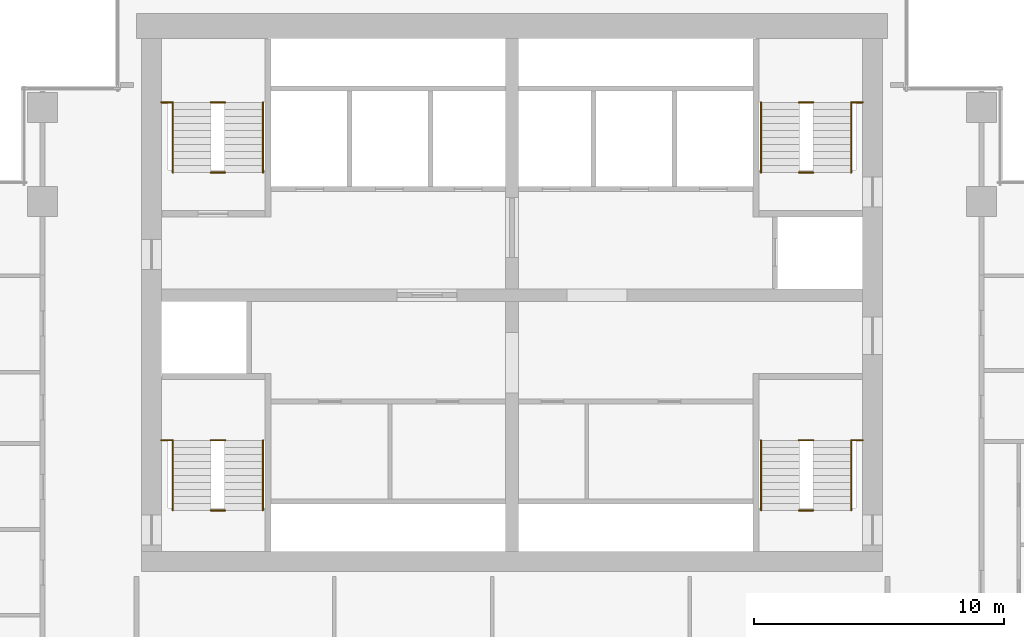
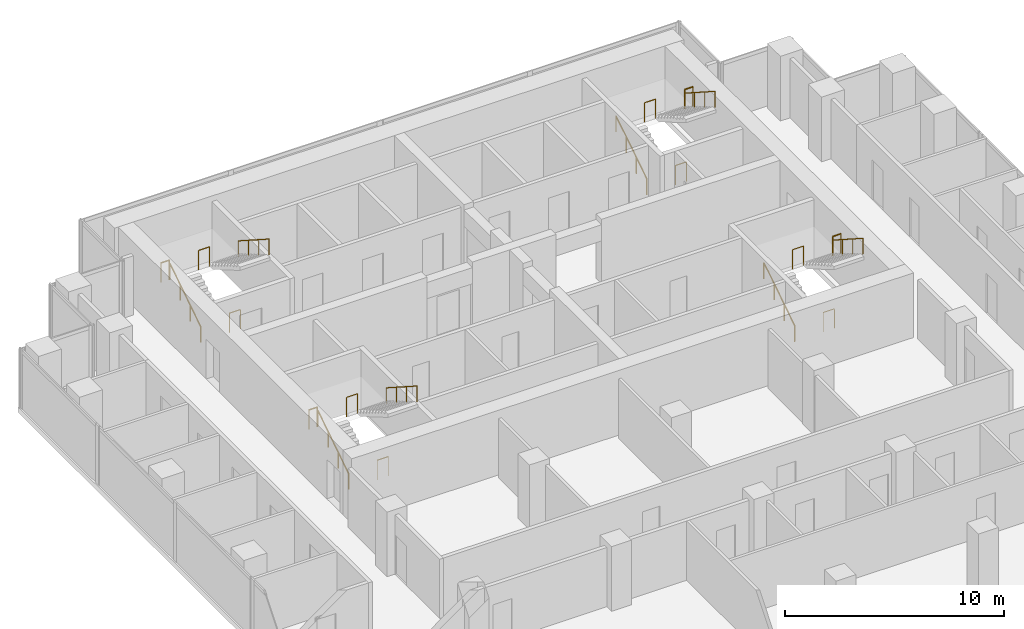
# One storey, part 10 of 10: 20 railings.
"""IFC4 building model written with IfcOpenShell, lengths in metres."""

from ifc_helpers import new_model, si_unit, direction, frame, origin, origin_2d, place, context, subcontext, project, spatial, circle, extrude, material, type_object, element, save


model = new_model("IFC4")

# Units and contexts
model_context = context("Model", 3, precision=1e-05, world=origin(), true_north=direction((0.0, 1.0)))
body_context = subcontext(model_context, "Body", "Model", "MODEL_VIEW")
ifc_project = project(units=[si_unit("LENGTHUNIT", "METRE"), si_unit("AREAUNIT", "SQUARE_METRE"), si_unit("VOLUMEUNIT", "CUBIC_METRE"), si_unit("PLANEANGLEUNIT", "RADIAN"), si_unit("MASSUNIT", "GRAM", prefix="KILO")], contexts=[model_context])

# Site, building, storey
site_placement = place(None, origin())
site = spatial("IfcSite", under=ifc_project, at=site_placement, CompositionType="ELEMENT")
building_placement = place(site_placement, origin())
building = spatial("IfcBuilding", under=site, at=building_placement, Name="Pilkhan Gate Tower", CompositionType="ELEMENT")
storey_placement = place(building_placement, frame((0.0, 0.0, 158.5)))
storey = spatial("IfcBuildingStorey", under=building, at=storey_placement, Name="L40", CompositionType="ELEMENT", Elevation=158.5)

# Railings
ifc_material_1 = material(Name="Black powder-coated steel tube", Category="steel")
railing_type_1 = type_object("IfcRailingType", Name="Stair handrail HR1", PredefinedType="HANDRAIL", material=ifc_material_1)
railing_1_placement = place(storey_placement, frame((84.949951171875, 73.89990234375, 0.0)))
element("IfcRailing", 1, at=railing_1_placement, inside=storey, type_object=railing_type_1, Name="Stair ST1 handrail L40", PredefinedType="HANDRAIL", context=body_context, shape_type="SweptSolid", body=[
    extrude(circle(Radius=0.02392578125, at=origin_2d()), frame((0.0, 0.0, 0.8759765625), z_axis=(0.0, 0.841176092368, 0.540761298198), x_axis=(-1.0, 0.0, 0.0)), (0.0, 0.0, 1.0), 3.32861328125),
    extrude(circle(Radius=0.02099609375, at=origin_2d()), origin(), (0.0, 0.0, 1.0), 0.851806640625),
    extrude(circle(Radius=0.02099609375, at=origin_2d()), frame((0.0, 0.933349609375, 0.60009765625)), (0.0, 0.0, 1.0), 0.851806640625),
    extrude(circle(Radius=0.02099609375, at=origin_2d()), frame((0.0, 1.86669921875, 1.199951171875)), (0.0, 0.0, 1.0), 0.851806640625),
    extrude(circle(Radius=0.02099609375, at=origin_2d()), frame((0.0, 2.800048828125, 1.800048828125)), (0.0, 0.0, 1.0), 0.851806640625),
])
railing_2_placement = place(storey_placement, frame((88.550048828125, 76.699951171875, 1.800048828125)))
element("IfcRailing", 2, at=railing_2_placement, inside=storey, type_object=railing_type_1, Name="Stair ST1 handrail L40", PredefinedType="HANDRAIL", context=body_context, shape_type="SweptSolid", body=[
    extrude(circle(Radius=0.02392578125, at=origin_2d()), frame((0.0, 0.0, 0.8759765625), z_axis=(0.0, -0.841176092368, 0.540761298198), x_axis=(1.0, 0.0, 0.0)), (0.0, 0.0, 1.0), 3.32861328125),
    extrude(circle(Radius=0.02099609375, at=origin_2d()), origin(), (0.0, 0.0, 1.0), 0.851806640625),
    extrude(circle(Radius=0.02099609375, at=origin_2d()), frame((0.0, -0.933349609375, 0.60009765625)), (0.0, 0.0, 1.0), 0.851806640625),
    extrude(circle(Radius=0.02099609375, at=origin_2d()), frame((0.0, -1.86669921875, 1.199951171875)), (0.0, 0.0, 1.0), 0.851806640625),
    extrude(circle(Radius=0.02099609375, at=origin_2d()), frame((0.0, -2.800048828125, 1.800048828125)), (0.0, 0.0, 1.0), 0.851806640625),
])
railing_3_placement = place(storey_placement, frame((61.449951171875, 73.89990234375, 0.0)))
element("IfcRailing", 3, at=railing_3_placement, inside=storey, type_object=railing_type_1, Name="Stair ST2 handrail L40", PredefinedType="HANDRAIL", context=body_context, shape_type="SweptSolid", body=[
    extrude(circle(Radius=0.02392578125, at=origin_2d()), frame((0.0, 0.0, 0.8759765625), z_axis=(0.0, 0.841176092368, 0.540761298198), x_axis=(-1.0, 0.0, 0.0)), (0.0, 0.0, 1.0), 3.32861328125),
    extrude(circle(Radius=0.02099609375, at=origin_2d()), origin(), (0.0, 0.0, 1.0), 0.851806640625),
    extrude(circle(Radius=0.02099609375, at=origin_2d()), frame((0.0, 0.933349609375, 0.60009765625)), (0.0, 0.0, 1.0), 0.851806640625),
    extrude(circle(Radius=0.02099609375, at=origin_2d()), frame((0.0, 1.86669921875, 1.199951171875)), (0.0, 0.0, 1.0), 0.851806640625),
    extrude(circle(Radius=0.02099609375, at=origin_2d()), frame((0.0, 2.800048828125, 1.800048828125)), (0.0, 0.0, 1.0), 0.851806640625),
])
railing_4_placement = place(storey_placement, frame((65.050048828125, 76.699951171875, 1.800048828125)))
element("IfcRailing", 4, at=railing_4_placement, inside=storey, type_object=railing_type_1, Name="Stair ST2 handrail L40", PredefinedType="HANDRAIL", context=body_context, shape_type="SweptSolid", body=[
    extrude(circle(Radius=0.02392578125, at=origin_2d()), frame((0.0, 0.0, 0.8759765625), z_axis=(0.0, -0.841176092368, 0.540761298198), x_axis=(1.0, 0.0, 0.0)), (0.0, 0.0, 1.0), 3.32861328125),
    extrude(circle(Radius=0.02099609375, at=origin_2d()), origin(), (0.0, 0.0, 1.0), 0.851806640625),
    extrude(circle(Radius=0.02099609375, at=origin_2d()), frame((0.0, -0.933349609375, 0.60009765625)), (0.0, 0.0, 1.0), 0.851806640625),
    extrude(circle(Radius=0.02099609375, at=origin_2d()), frame((0.0, -1.86669921875, 1.199951171875)), (0.0, 0.0, 1.0), 0.851806640625),
    extrude(circle(Radius=0.02099609375, at=origin_2d()), frame((0.0, -2.800048828125, 1.800048828125)), (0.0, 0.0, 1.0), 0.851806640625),
])
railing_5_placement = place(storey_placement, frame((61.449951171875, 87.39990234375, 0.0)))
element("IfcRailing", 5, at=railing_5_placement, inside=storey, type_object=railing_type_1, Name="Stair ST3 handrail L40", PredefinedType="HANDRAIL", context=body_context, shape_type="SweptSolid", body=[
    extrude(circle(Radius=0.02392578125, at=origin_2d()), frame((0.0, 0.0, 0.8759765625), z_axis=(0.0, 0.841176092368, 0.540761298198), x_axis=(-1.0, 0.0, 0.0)), (0.0, 0.0, 1.0), 3.32861328125),
    extrude(circle(Radius=0.02099609375, at=origin_2d()), origin(), (0.0, 0.0, 1.0), 0.851806640625),
    extrude(circle(Radius=0.02099609375, at=origin_2d()), frame((0.0, 0.933349609375, 0.60009765625)), (0.0, 0.0, 1.0), 0.851806640625),
    extrude(circle(Radius=0.02099609375, at=origin_2d()), frame((0.0, 1.86669921875, 1.199951171875)), (0.0, 0.0, 1.0), 0.851806640625),
    extrude(circle(Radius=0.02099609375, at=origin_2d()), frame((0.0, 2.800048828125, 1.800048828125)), (0.0, 0.0, 1.0), 0.851806640625),
])
railing_6_placement = place(storey_placement, frame((65.050048828125, 90.199951171875, 1.800048828125)))
element("IfcRailing", 6, at=railing_6_placement, inside=storey, type_object=railing_type_1, Name="Stair ST3 handrail L40", PredefinedType="HANDRAIL", context=body_context, shape_type="SweptSolid", body=[
    extrude(circle(Radius=0.02392578125, at=origin_2d()), frame((0.0, 0.0, 0.8759765625), z_axis=(0.0, -0.841176092368, 0.540761298198), x_axis=(1.0, 0.0, 0.0)), (0.0, 0.0, 1.0), 3.32861328125),
    extrude(circle(Radius=0.02099609375, at=origin_2d()), origin(), (0.0, 0.0, 1.0), 0.851806640625),
    extrude(circle(Radius=0.02099609375, at=origin_2d()), frame((0.0, -0.933349609375, 0.60009765625)), (0.0, 0.0, 1.0), 0.851806640625),
    extrude(circle(Radius=0.02099609375, at=origin_2d()), frame((0.0, -1.86669921875, 1.199951171875)), (0.0, 0.0, 1.0), 0.851806640625),
    extrude(circle(Radius=0.02099609375, at=origin_2d()), frame((0.0, -2.800048828125, 1.800048828125)), (0.0, 0.0, 1.0), 0.851806640625),
])
railing_7_placement = place(storey_placement, frame((84.949951171875, 87.39990234375, 0.0)))
element("IfcRailing", 7, at=railing_7_placement, inside=storey, type_object=railing_type_1, Name="Stair ST4 handrail L40", PredefinedType="HANDRAIL", context=body_context, shape_type="SweptSolid", body=[
    extrude(circle(Radius=0.02392578125, at=origin_2d()), frame((0.0, 0.0, 0.8759765625), z_axis=(0.0, 0.841176092368, 0.540761298198), x_axis=(-1.0, 0.0, 0.0)), (0.0, 0.0, 1.0), 3.32861328125),
    extrude(circle(Radius=0.02099609375, at=origin_2d()), origin(), (0.0, 0.0, 1.0), 0.851806640625),
    extrude(circle(Radius=0.02099609375, at=origin_2d()), frame((0.0, 0.933349609375, 0.60009765625)), (0.0, 0.0, 1.0), 0.851806640625),
    extrude(circle(Radius=0.02099609375, at=origin_2d()), frame((0.0, 1.86669921875, 1.199951171875)), (0.0, 0.0, 1.0), 0.851806640625),
    extrude(circle(Radius=0.02099609375, at=origin_2d()), frame((0.0, 2.800048828125, 1.800048828125)), (0.0, 0.0, 1.0), 0.851806640625),
])
railing_8_placement = place(storey_placement, frame((88.550048828125, 90.199951171875, 1.800048828125)))
element("IfcRailing", 8, at=railing_8_placement, inside=storey, type_object=railing_type_1, Name="Stair ST4 handrail L40", PredefinedType="HANDRAIL", context=body_context, shape_type="SweptSolid", body=[
    extrude(circle(Radius=0.02392578125, at=origin_2d()), frame((0.0, 0.0, 0.8759765625), z_axis=(0.0, -0.841176092368, 0.540761298198), x_axis=(1.0, 0.0, 0.0)), (0.0, 0.0, 1.0), 3.32861328125),
    extrude(circle(Radius=0.02099609375, at=origin_2d()), origin(), (0.0, 0.0, 1.0), 0.851806640625),
    extrude(circle(Radius=0.02099609375, at=origin_2d()), frame((0.0, -0.933349609375, 0.60009765625)), (0.0, 0.0, 1.0), 0.851806640625),
    extrude(circle(Radius=0.02099609375, at=origin_2d()), frame((0.0, -1.86669921875, 1.199951171875)), (0.0, 0.0, 1.0), 0.851806640625),
    extrude(circle(Radius=0.02099609375, at=origin_2d()), frame((0.0, -2.800048828125, 1.800048828125)), (0.0, 0.0, 1.0), 0.851806640625),
])
ifc_material_2 = material(Name="Black powder-coated steel balusters", Category="steel")
railing_type_2 = type_object("IfcRailingType", Name="Stair well guard G3", PredefinedType="GUARDRAIL", material=ifc_material_2)
railing_9_placement = place(storey_placement, frame((88.580078125, 76.699951171875, 1.800048828125)))
element("IfcRailing", 9, at=railing_9_placement, inside=storey, type_object=railing_type_2, Name="Stair ST1 well guard L40", PredefinedType="GUARDRAIL", context=body_context, shape_type="SweptSolid", body=[
    extrude(circle(Radius=0.02392578125, at=origin_2d()), frame((0.0, 0.0, 1.076171875), z_axis=(1.0, 0.0, 0.0), x_axis=(0.0, 1.0, 0.0)), (0.0, 0.0, 1.0), 0.43994140625),
    extrude(circle(Radius=0.02099609375, at=origin_2d()), origin(), (0.0, 0.0, 1.0), 1.052001953125),
    extrude(circle(Radius=0.02099609375, at=origin_2d()), frame((0.43994140625, 0.0, 0.0)), (0.0, 0.0, 1.0), 1.052001953125),
])
for number, where, name in (
    (10, (86.4599609375, 73.89990234375, 0.0), "Stair ST1 well guard L40"),
    (11, (86.4599609375, 76.699951171875, 1.800048828125), "Stair ST1 well guard L40"),
):
    element("IfcRailing", number, at=place(storey_placement, frame(where)), inside=storey, type_object=railing_type_2, Name=name, PredefinedType="GUARDRAIL", context=body_context, shape_type="SweptSolid", body=[
        extrude(circle(Radius=0.02392578125, at=origin_2d()), frame((0.0, 0.0, 1.076171875), z_axis=(1.0, 0.0, 0.0), x_axis=(0.0, 1.0, 0.0)), (0.0, 0.0, 1.0), 0.580078125),
        extrude(circle(Radius=0.02099609375, at=origin_2d()), origin(), (0.0, 0.0, 1.0), 1.052001953125),
        extrude(circle(Radius=0.02099609375, at=origin_2d()), frame((0.580078125, 0.0, 0.0)), (0.0, 0.0, 1.0), 1.052001953125),
    ])
railing_10_placement = place(storey_placement, frame((60.97998046875, 76.699951171875, 1.800048828125)))
element("IfcRailing", 12, at=railing_10_placement, inside=storey, type_object=railing_type_2, Name="Stair ST2 well guard L40", PredefinedType="GUARDRAIL", context=body_context, shape_type="SweptSolid", body=[
    extrude(circle(Radius=0.02392578125, at=origin_2d()), frame((0.0, 0.0, 1.076171875), z_axis=(1.0, 0.0, 0.0), x_axis=(0.0, 1.0, 0.0)), (0.0, 0.0, 1.0), 0.43994140625),
    extrude(circle(Radius=0.02099609375, at=origin_2d()), origin(), (0.0, 0.0, 1.0), 1.052001953125),
    extrude(circle(Radius=0.02099609375, at=origin_2d()), frame((0.43994140625, 0.0, 0.0)), (0.0, 0.0, 1.0), 1.052001953125),
])
for number, where, name in (
    (13, (62.9599609375, 73.89990234375, 0.0), "Stair ST2 well guard L40"),
    (14, (62.9599609375, 76.699951171875, 1.800048828125), "Stair ST2 well guard L40"),
):
    element("IfcRailing", number, at=place(storey_placement, frame(where)), inside=storey, type_object=railing_type_2, Name=name, PredefinedType="GUARDRAIL", context=body_context, shape_type="SweptSolid", body=[
        extrude(circle(Radius=0.02392578125, at=origin_2d()), frame((0.0, 0.0, 1.076171875), z_axis=(1.0, 0.0, 0.0), x_axis=(0.0, 1.0, 0.0)), (0.0, 0.0, 1.0), 0.580078125),
        extrude(circle(Radius=0.02099609375, at=origin_2d()), origin(), (0.0, 0.0, 1.0), 1.052001953125),
        extrude(circle(Radius=0.02099609375, at=origin_2d()), frame((0.580078125, 0.0, 0.0)), (0.0, 0.0, 1.0), 1.052001953125),
    ])
railing_11_placement = place(storey_placement, frame((60.97998046875, 90.199951171875, 1.800048828125)))
element("IfcRailing", 15, at=railing_11_placement, inside=storey, type_object=railing_type_2, Name="Stair ST3 well guard L40", PredefinedType="GUARDRAIL", context=body_context, shape_type="SweptSolid", body=[
    extrude(circle(Radius=0.02392578125, at=origin_2d()), frame((0.0, 0.0, 1.076171875), z_axis=(1.0, 0.0, 0.0), x_axis=(0.0, 1.0, 0.0)), (0.0, 0.0, 1.0), 0.43994140625),
    extrude(circle(Radius=0.02099609375, at=origin_2d()), origin(), (0.0, 0.0, 1.0), 1.052001953125),
    extrude(circle(Radius=0.02099609375, at=origin_2d()), frame((0.43994140625, 0.0, 0.0)), (0.0, 0.0, 1.0), 1.052001953125),
])
for number, where, name in (
    (16, (62.9599609375, 87.39990234375, 0.0), "Stair ST3 well guard L40"),
    (17, (62.9599609375, 90.199951171875, 1.800048828125), "Stair ST3 well guard L40"),
):
    element("IfcRailing", number, at=place(storey_placement, frame(where)), inside=storey, type_object=railing_type_2, Name=name, PredefinedType="GUARDRAIL", context=body_context, shape_type="SweptSolid", body=[
        extrude(circle(Radius=0.02392578125, at=origin_2d()), frame((0.0, 0.0, 1.076171875), z_axis=(1.0, 0.0, 0.0), x_axis=(0.0, 1.0, 0.0)), (0.0, 0.0, 1.0), 0.580078125),
        extrude(circle(Radius=0.02099609375, at=origin_2d()), origin(), (0.0, 0.0, 1.0), 1.052001953125),
        extrude(circle(Radius=0.02099609375, at=origin_2d()), frame((0.580078125, 0.0, 0.0)), (0.0, 0.0, 1.0), 1.052001953125),
    ])
railing_12_placement = place(storey_placement, frame((88.580078125, 90.199951171875, 1.800048828125)))
element("IfcRailing", 18, at=railing_12_placement, inside=storey, type_object=railing_type_2, Name="Stair ST4 well guard L40", PredefinedType="GUARDRAIL", context=body_context, shape_type="SweptSolid", body=[
    extrude(circle(Radius=0.02392578125, at=origin_2d()), frame((0.0, 0.0, 1.076171875), z_axis=(1.0, 0.0, 0.0), x_axis=(0.0, 1.0, 0.0)), (0.0, 0.0, 1.0), 0.43994140625),
    extrude(circle(Radius=0.02099609375, at=origin_2d()), origin(), (0.0, 0.0, 1.0), 1.052001953125),
    extrude(circle(Radius=0.02099609375, at=origin_2d()), frame((0.43994140625, 0.0, 0.0)), (0.0, 0.0, 1.0), 1.052001953125),
])
for number, where, name in (
    (19, (86.4599609375, 87.39990234375, 0.0), "Stair ST4 well guard L40"),
    (20, (86.4599609375, 90.199951171875, 1.800048828125), "Stair ST4 well guard L40"),
):
    element("IfcRailing", number, at=place(storey_placement, frame(where)), inside=storey, type_object=railing_type_2, Name=name, PredefinedType="GUARDRAIL", context=body_context, shape_type="SweptSolid", body=[
        extrude(circle(Radius=0.02392578125, at=origin_2d()), frame((0.0, 0.0, 1.076171875), z_axis=(1.0, 0.0, 0.0), x_axis=(0.0, 1.0, 0.0)), (0.0, 0.0, 1.0), 0.580078125),
        extrude(circle(Radius=0.02099609375, at=origin_2d()), origin(), (0.0, 0.0, 1.0), 1.052001953125),
        extrude(circle(Radius=0.02099609375, at=origin_2d()), frame((0.580078125, 0.0, 0.0)), (0.0, 0.0, 1.0), 1.052001953125),
    ])

save(model, "model.ifc")
